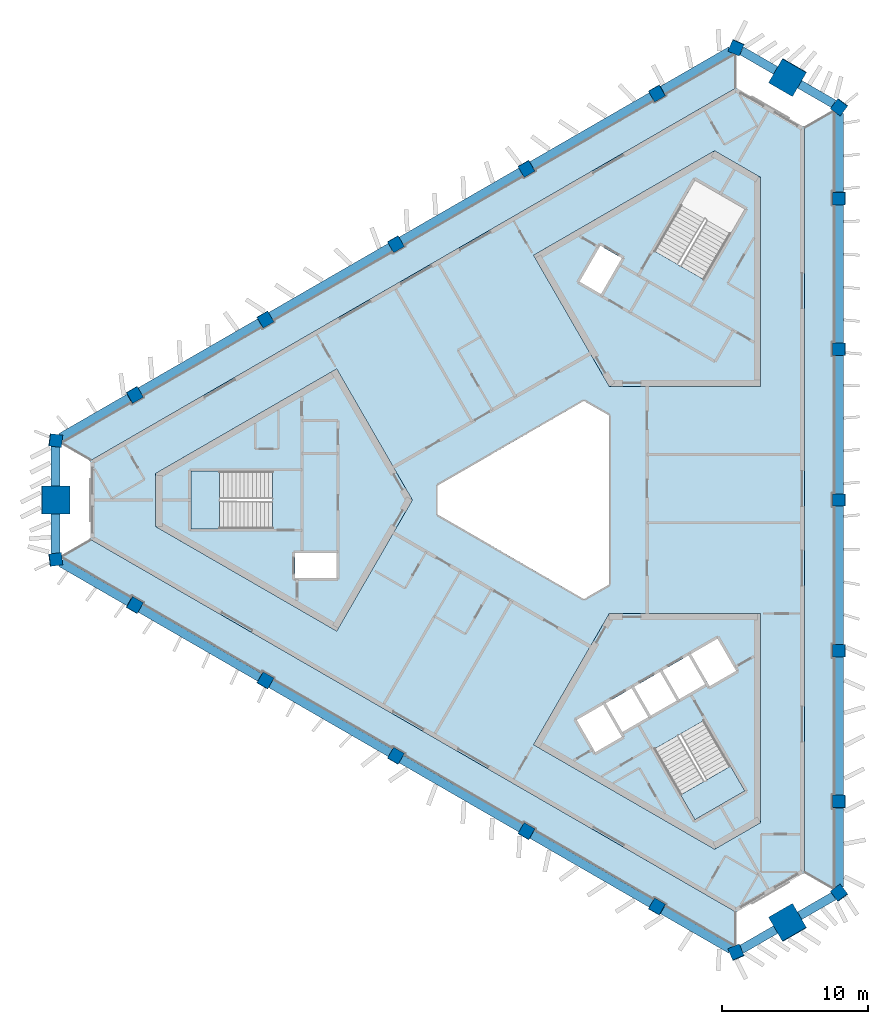
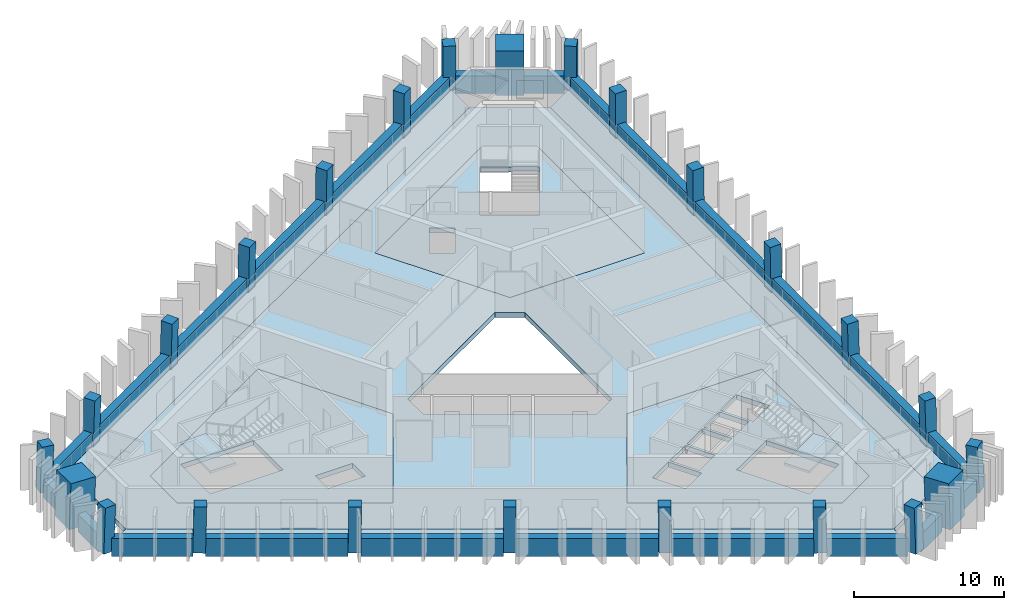
# One storey, part 1 of 10: 24 beams, 24 columns, 9 slabs, 2 elements without a shape of their own.
"""IFC4 building model written with IfcOpenShell, lengths in metres."""

from ifc_helpers import new_model, si_unit, direction, frame, origin, origin_2d, place, context, subcontext, project, spatial, polyline, rectangle, outline, extrude, material, layer, layer_set, material_profile, profile_set, type_object, element, aggregate, save


model = new_model("IFC4")

# Units and contexts
model_context = context("Model", 3, precision=1e-05, world=origin(), true_north=direction((0.0, 1.0)))
body_context = subcontext(model_context, "Body", "Model", "MODEL_VIEW")
ifc_project = project(units=[si_unit("LENGTHUNIT", "METRE"), si_unit("AREAUNIT", "SQUARE_METRE"), si_unit("VOLUMEUNIT", "CUBIC_METRE"), si_unit("PLANEANGLEUNIT", "RADIAN"), si_unit("MASSUNIT", "GRAM", prefix="KILO")], contexts=[model_context])

# Site, building, storey
site_placement = place(None, origin())
site = spatial("IfcSite", under=ifc_project, at=site_placement, CompositionType="ELEMENT")
building_placement = place(site_placement, origin())
building = spatial("IfcBuilding", under=site, at=building_placement, Name="Jabali Bay Hotel Tower and Convention Centre", CompositionType="ELEMENT")
storey_placement = place(building_placement, frame((0.0, 0.0, 216.89990234375)))
storey = spatial("IfcBuildingStorey", under=building, at=storey_placement, Name="L53", CompositionType="ELEMENT", Elevation=216.89990234375)

# Columns
ifc_material_1 = material(Name="Concrete C60", Category="concrete")
ifc_material_profile_1 = material_profile(ifc_material_1, rectangle(XDim=0.85009765625, YDim=0.85009765625, at=origin_2d()), Name="Frame column 850")
ifc_profile_set_1 = profile_set([ifc_material_profile_1], Name="Concrete C60")
column_type_1 = type_object("IfcColumnType", Name="Frame column 850", PredefinedType="COLUMN", material=ifc_profile_set_1)
column_1_placement = place(storey_placement, frame((82.782958984375, 107.906982421875, 0.0), z_axis=(-0.008375902173, -0.028161497857, 0.999568293966), x_axis=(0.865850883257, 0.499846917191, 0.021337931896)))
element("IfcColumn", 1, at=column_1_placement, inside=storey, type_object=column_type_1, Name="FC5 F1.1 L53", PredefinedType="COLUMN", context=body_context, shape_type="SweptSolid", body=[
    extrude(rectangle(XDim=0.85009765625, YDim=0.85009765625, at=origin_2d()), origin(), (0.0, 0.0, 1.0), 3.701904296875),
])
column_2_placement = place(storey_placement, frame((73.822265625, 102.733642578125, 0.0), z_axis=(0.000857522362, -0.02282328747, 0.99973914708), x_axis=(0.866054521305, 0.499835732571, 0.010668016277)))
element("IfcColumn", 2, at=column_2_placement, inside=storey, type_object=column_type_1, Name="FC5 F1.2 L53", PredefinedType="COLUMN", context=body_context, shape_type="SweptSolid", body=[
    extrude(rectangle(XDim=0.85009765625, YDim=0.85009765625, at=origin_2d()), origin(), (0.0, 0.0, 1.0), 3.701171875),
])
column_3_placement = place(storey_placement, frame((64.861572265625, 97.56005859375, 0.0), z_axis=(0.010092954999, -0.017481261926, 0.999796248113), x_axis=(-0.499897099477, 0.865849541015, 0.020185694417)))
element("IfcColumn", 3, at=column_3_placement, inside=storey, type_object=column_type_1, Name="FC5 F1.3 L53", PredefinedType="COLUMN", context=body_context, shape_type="SweptSolid", body=[
    extrude(rectangle(XDim=0.85009765625, YDim=0.85009765625, at=origin_2d()), origin(), (0.0, 0.0, 1.0), 3.700927734375),
])
column_4_placement = place(storey_placement, frame((55.901123046875, 92.38671875, 0.0), z_axis=(0.019327242333, -0.012137244332, 0.999739538582), x_axis=(-0.500214328423, 0.865666448646, 0.020179824807)))
element("IfcColumn", 4, at=column_4_placement, inside=storey, type_object=column_type_1, Name="FC5 F1.4 L53", PredefinedType="COLUMN", context=body_context, shape_type="SweptSolid", body=[
    extrude(rectangle(XDim=0.85009765625, YDim=0.85009765625, at=origin_2d()), origin(), (0.0, 0.0, 1.0), 3.701171875),
])
for number, where, z_axis, x_axis, name in (
    (5, (46.9404296875, 87.21337890625, 0.0), (0.028557219273, -0.006859008786, 0.999568626571), (-0.498515256127, 0.866645794777, 0.020189249707), "FC5 F1.5 L53"),
    (6, (46.9404296875, 72.78662109375, 0.0), (0.028557219273, 0.006859008786, 0.999568626571), (-0.86641042505, 0.498876758723, 0.021329673472), "FC5 F2.1 L53"),
):
    element("IfcColumn", number, at=place(storey_placement, frame(where, z_axis=z_axis, x_axis=x_axis)), inside=storey, type_object=column_type_1, Name=name, PredefinedType="COLUMN", context=body_context, shape_type="SweptSolid", body=[
        extrude(rectangle(XDim=0.85009765625, YDim=0.85009765625, at=origin_2d()), origin(), (0.0, 0.0, 1.0), 3.701904296875),
    ])
column_5_placement = place(storey_placement, frame((55.901123046875, 67.61328125, 0.0), z_axis=(0.019327242333, 0.012137244332, 0.999739538582), x_axis=(-0.865685903399, 0.500474062253, 0.01065972171)))
element("IfcColumn", 7, at=column_5_placement, inside=storey, type_object=column_type_1, Name="FC5 F2.2 L53", PredefinedType="COLUMN", context=body_context, shape_type="SweptSolid", body=[
    extrude(rectangle(XDim=0.85009765625, YDim=0.85009765625, at=origin_2d()), origin(), (0.0, 0.0, 1.0), 3.701171875),
])
column_6_placement = place(storey_placement, frame((64.861572265625, 62.43994140625, 0.0), z_axis=(0.010092954999, 0.017481261926, 0.999796248113), x_axis=(-0.866025993948, 0.499998977805, 1.48321e-07)))
element("IfcColumn", 8, at=column_6_placement, inside=storey, type_object=column_type_1, Name="FC5 F2.3 L53", PredefinedType="COLUMN", context=body_context, shape_type="SweptSolid", body=[
    extrude(rectangle(XDim=0.85009765625, YDim=0.85009765625, at=origin_2d()), origin(), (0.0, 0.0, 1.0), 3.700927734375),
])
column_7_placement = place(storey_placement, frame((73.822265625, 57.266357421875, 0.0), z_axis=(0.000857522362, 0.02282328747, 0.99973914708), x_axis=(-0.499948828163, -0.865819460392, 0.020194831622)))
element("IfcColumn", 9, at=column_7_placement, inside=storey, type_object=column_type_1, Name="FC5 F2.4 L53", PredefinedType="COLUMN", context=body_context, shape_type="SweptSolid", body=[
    extrude(rectangle(XDim=0.85009765625, YDim=0.85009765625, at=origin_2d()), origin(), (0.0, 0.0, 1.0), 3.701171875),
])
for number, where, z_axis, x_axis, name in (
    (10, (82.782958984375, 52.093017578125, 0.0), (-0.008375902173, 0.028161497857, 0.999568293966), (-0.500232038384, -0.865655814636, 0.020196988914), "FC5 F2.5 L53"),
    (11, (95.276611328125, 59.306396484375, 0.0), (-0.020181329236, 0.021302514194, 0.999569365697), (0.000228295571, -0.999772858975, 0.021311460273), "FC5 F0.1 L53"),
):
    element("IfcColumn", number, at=place(storey_placement, frame(where, z_axis=z_axis, x_axis=x_axis)), inside=storey, type_object=column_type_1, Name=name, PredefinedType="COLUMN", context=body_context, shape_type="SweptSolid", body=[
        extrude(rectangle(XDim=0.85009765625, YDim=0.85009765625, at=origin_2d()), origin(), (0.0, 0.0, 1.0), 3.701904296875),
    ])
column_8_placement = place(storey_placement, frame((95.276611328125, 69.653076171875, 0.0), z_axis=(-0.020184757346, 0.010686048007, 0.999739157955), x_axis=(-0.001012892672, -0.999942584695, 0.010667772075)))
element("IfcColumn", 12, at=column_8_placement, inside=storey, type_object=column_type_1, Name="FC5 F0.2 L53", PredefinedType="COLUMN", context=body_context, shape_type="SweptSolid", body=[
    extrude(rectangle(XDim=0.85009765625, YDim=0.85009765625, at=origin_2d()), origin(), (0.0, 0.0, 1.0), 3.701171875),
])
column_9_placement = place(storey_placement, frame((95.276611328125, 80.0, 0.0), z_axis=(-0.02018590991, 0.0, 0.999796243762), x_axis=(0.0, -1.0, 0.0)))
element("IfcColumn", 13, at=column_9_placement, inside=storey, type_object=column_type_1, Name="FC5 F0.3 L53", PredefinedType="COLUMN", context=body_context, shape_type="SweptSolid", body=[
    extrude(rectangle(XDim=0.85009765625, YDim=0.85009765625, at=origin_2d()), origin(), (0.0, 0.0, 1.0), 3.700927734375),
])
column_10_placement = place(storey_placement, frame((95.276611328125, 90.346923828125, 0.0), z_axis=(-0.020184757346, -0.010686048007, 0.999739157955), x_axis=(0.999795753951, 0.000797302076, 0.020194422252)))
element("IfcColumn", 14, at=column_10_placement, inside=storey, type_object=column_type_1, Name="FC5 F0.4 L53", PredefinedType="COLUMN", context=body_context, shape_type="SweptSolid", body=[
    extrude(rectangle(XDim=0.85009765625, YDim=0.85009765625, at=origin_2d()), origin(), (0.0, 0.0, 1.0), 3.701171875),
])
column_11_placement = place(storey_placement, frame((95.276611328125, 100.693603515625, 0.0), z_axis=(-0.020181329236, -0.021302514194, 0.999569365697), x_axis=(0.999796310171, -0.000658290855, 0.020171881959)))
element("IfcColumn", 15, at=column_11_placement, inside=storey, type_object=column_type_1, Name="FC5 F0.5 L53", PredefinedType="COLUMN", context=body_context, shape_type="SweptSolid", body=[
    extrude(rectangle(XDim=0.85009765625, YDim=0.85009765625, at=origin_2d()), origin(), (0.0, 0.0, 1.0), 3.701904296875),
])
for number, where, z_axis, x_axis, name in (
    (16, (95.276611328125, 53.039306640625, 0.0), (-0.020177412175, 0.029013272408, 0.999375355941), (-0.799308590144, -0.60091935252, 0.001307474698), "FC5 V0 L53"),
    (17, (95.276611328125, 106.960693359375, 0.0), (-0.020177412175, -0.029013272408, 0.999375355941), (0.600581925936, 0.798782925325, 0.035315555323), "FC5 V1 L53"),
    (18, (88.210205078125, 111.04052734375, 0.0), (-0.01503415113, -0.031980540781, 0.999375414602), (0.920098399425, -0.39168511083, 0.001307413323), "FC5 V2 L53"),
    (19, (41.512939453125, 84.079833984375, 0.0), (0.035211566633, -0.002967266851, 0.999375475436), (-0.992057061934, 0.120730427355, 0.035312176056), "FC5 V3 L53"),
    (20, (41.512939453125, 75.920166015625, 0.0), (0.035211566633, 0.002967266851, 0.999375475436), (-0.120759808887, 0.99268089497, 0.001307409453), "FC5 V4 L53"),
    (21, (88.210205078125, 48.95947265625, 0.0), (-0.01503415113, 0.031980540781, 0.999375414602), (0.391398658244, -0.91954337525, 0.035313897537), "FC5 V5 L53"),
):
    element("IfcColumn", number, at=place(storey_placement, frame(where, z_axis=z_axis, x_axis=x_axis)), inside=storey, type_object=column_type_1, Name=name, PredefinedType="COLUMN", context=body_context, shape_type="SweptSolid", body=[
        extrude(rectangle(XDim=0.85009765625, YDim=0.85009765625, at=origin_2d()), origin(), (0.0, 0.0, 1.0), 3.702392578125),
    ])
ifc_material_2 = material(Name="Concrete C70", Category="concrete")
ifc_material_profile_2 = material_profile(ifc_material_2, rectangle(XDim=1.89990234375, YDim=1.89990234375, at=origin_2d()), Name="Mega column 1900")
ifc_profile_set_2 = profile_set([ifc_material_profile_2], Name="Concrete C70")
column_type_2 = type_object("IfcColumnType", Name="Mega column 1900", PredefinedType="COLUMN", material=ifc_profile_set_2)
for number, where, z_axis, x_axis, name in (
    (22, (91.743408203125, 109.00048828125, 0.0), (-0.017605877014, -0.030464101799, 0.99938079409), (0.86581098392, -0.500371202332, 2.456e-09), "MC5 M1 L53"),
    (23, (41.512939453125, 80.0, 0.0), (0.035211721647, 0.0, 0.999379875052), (0.0, 1.0, 0.0), "MC5 M0 L53"),
    (24, (91.743408203125, 50.99951171875, 0.0), (-0.017605877014, 0.030464101799, 0.99938079409), (0.500061369451, -0.865274868686, 0.035185627803), "MC5 M2 L53"),
):
    element("IfcColumn", number, at=place(storey_placement, frame(where, z_axis=z_axis, x_axis=x_axis)), inside=storey, type_object=column_type_2, Name=name, PredefinedType="COLUMN", context=body_context, shape_type="SweptSolid", body=[
        extrude(rectangle(XDim=1.89990234375, YDim=1.89990234375, at=origin_2d()), origin(), (0.0, 0.0, 1.0), 3.702392578125),
    ])

# Beams
ifc_material_profile_3 = material_profile(ifc_material_1, rectangle(XDim=0.60009765625, YDim=1.449951171875, at=origin_2d()), Name="Spandrel 600x1450")
ifc_profile_set_3 = profile_set([ifc_material_profile_3], Name="Concrete C60")
beam_type = type_object("IfcBeamType", Name="Spandrel 600x1450", PredefinedType="SPANDREL", material=ifc_profile_set_3)
beam_1_placement = place(storey_placement, frame((90.9140625, 109.464111328125, 0.375), z_axis=(-0.866017156151, 0.500014285048, 0.0), x_axis=(-0.500014285048, -0.866017156151, 0.0)))
element("IfcBeam", 25, at=beam_1_placement, inside=storey, type_object=beam_type, Name="Spandrel M1-V2 L53", PredefinedType="SPANDREL", context=body_context, shape_type="SweptSolid", body=[
    extrude(rectangle(XDim=0.60009765625, YDim=1.449951171875, at=origin_2d()), origin(), (0.0, 0.0, 1.0), 2.70361328125),
])
beam_2_placement = place(storey_placement, frame((87.836669921875, 110.81591796875, 0.375), z_axis=(-0.866036909293, -0.499980071345, 0.0), x_axis=(0.499980071345, -0.866036909293, 0.0)))
element("IfcBeam", 26, at=beam_2_placement, inside=storey, type_object=beam_type, Name="Spandrel V2-F1.1 L53", PredefinedType="SPANDREL", context=body_context, shape_type="SweptSolid", body=[
    extrude(rectangle(XDim=0.60009765625, YDim=1.449951171875, at=origin_2d()), origin(), (0.0, 0.0, 1.0), 5.414306640625),
])
beam_3_placement = place(storey_placement, frame((82.41162109375, 107.683837890625, 0.375), z_axis=(-0.866026691326, -0.499997769907, 0.0), x_axis=(0.499997769907, -0.866026691326, 0.0)))
element("IfcBeam", 27, at=beam_3_placement, inside=storey, type_object=beam_type, Name="Spandrel F1.1-F1.2 L53", PredefinedType="SPANDREL", context=body_context, shape_type="SweptSolid", body=[
    extrude(rectangle(XDim=0.60009765625, YDim=1.449951171875, at=origin_2d()), origin(), (0.0, 0.0, 1.0), 9.49267578125),
])
beam_4_placement = place(storey_placement, frame((73.45458984375, 102.512451171875, 0.375), z_axis=(-0.866033120735, -0.499986633611, 0.0), x_axis=(0.499986633611, -0.866033120735, 0.0)))
element("IfcBeam", 28, at=beam_4_placement, inside=storey, type_object=beam_type, Name="Spandrel F1.2-F1.3 L53", PredefinedType="SPANDREL", context=body_context, shape_type="SweptSolid", body=[
    extrude(rectangle(XDim=0.60009765625, YDim=1.449951171875, at=origin_2d()), origin(), (0.0, 0.0, 1.0), 9.492919921875),
])
beam_5_placement = place(storey_placement, frame((64.497314453125, 97.341064453125, 0.375), z_axis=(-0.866026691326, -0.499997769907, 0.0), x_axis=(0.499997769907, -0.866026691326, 0.0)))
element("IfcBeam", 29, at=beam_5_placement, inside=storey, type_object=beam_type, Name="Spandrel F1.3-F1.4 L53", PredefinedType="SPANDREL", context=body_context, shape_type="SweptSolid", body=[
    extrude(rectangle(XDim=0.60009765625, YDim=1.449951171875, at=origin_2d()), origin(), (0.0, 0.0, 1.0), 9.49267578125),
])
beam_6_placement = place(storey_placement, frame((55.540283203125, 92.169677734375, 0.375), z_axis=(-0.866033120735, -0.499986633611, 0.0), x_axis=(0.499986633611, -0.866033120735, 0.0)))
element("IfcBeam", 30, at=beam_6_placement, inside=storey, type_object=beam_type, Name="Spandrel F1.4-F1.5 L53", PredefinedType="SPANDREL", context=body_context, shape_type="SweptSolid", body=[
    extrude(rectangle(XDim=0.60009765625, YDim=1.449951171875, at=origin_2d()), origin(), (0.0, 0.0, 1.0), 9.492919921875),
])
beam_7_placement = place(storey_placement, frame((46.5830078125, 86.998291015625, 0.375), z_axis=(-0.866025636532, -0.499999596869, 0.0), x_axis=(0.499999596869, -0.866025636532, 0.0)))
element("IfcBeam", 31, at=beam_7_placement, inside=storey, type_object=beam_type, Name="Spandrel F1.5-V3 L53", PredefinedType="SPANDREL", context=body_context, shape_type="SweptSolid", body=[
    extrude(rectangle(XDim=0.60009765625, YDim=1.449951171875, at=origin_2d()), origin(), (0.0, 0.0, 1.0), 5.4140625),
])
for number, where, z_axis, x_axis, name in (
    (32, (41.526123046875, 83.653564453125, 0.375), (0.0, -1.0, 0.0), (1.0, 0.0, 0.0), "Spandrel V3-M0 L53"),
    (33, (41.526123046875, 79.050048828125, 0.375), (0.0, -1.0, 0.0), (1.0, 0.0, 0.0), "Spandrel M0-V4 L53"),
):
    element("IfcBeam", number, at=place(storey_placement, frame(where, z_axis=z_axis, x_axis=x_axis)), inside=storey, type_object=beam_type, Name=name, PredefinedType="SPANDREL", context=body_context, shape_type="SweptSolid", body=[
        extrude(rectangle(XDim=0.60009765625, YDim=1.449951171875, at=origin_2d()), origin(), (0.0, 0.0, 1.0), 2.70361328125),
    ])
beam_8_placement = place(storey_placement, frame((41.894287109375, 75.708740234375, 0.375), z_axis=(0.866025636532, -0.499999596869, 0.0), x_axis=(0.499999596869, 0.866025636532, 0.0)))
element("IfcBeam", 34, at=beam_8_placement, inside=storey, type_object=beam_type, Name="Spandrel V4-F2.1 L53", PredefinedType="SPANDREL", context=body_context, shape_type="SweptSolid", body=[
    extrude(rectangle(XDim=0.60009765625, YDim=1.449951171875, at=origin_2d()), origin(), (0.0, 0.0, 1.0), 5.4140625),
])
beam_9_placement = place(storey_placement, frame((47.319091796875, 72.57666015625, 0.375), z_axis=(0.866033120735, -0.499986633611, 0.0), x_axis=(0.499986633611, 0.866033120735, 0.0)))
element("IfcBeam", 35, at=beam_9_placement, inside=storey, type_object=beam_type, Name="Spandrel F2.1-F2.2 L53", PredefinedType="SPANDREL", context=body_context, shape_type="SweptSolid", body=[
    extrude(rectangle(XDim=0.60009765625, YDim=1.449951171875, at=origin_2d()), origin(), (0.0, 0.0, 1.0), 9.492919921875),
])
beam_10_placement = place(storey_placement, frame((56.2763671875, 67.4052734375, 0.375), z_axis=(0.866026691326, -0.499997769907, 0.0), x_axis=(0.499997769907, 0.866026691326, 0.0)))
element("IfcBeam", 36, at=beam_10_placement, inside=storey, type_object=beam_type, Name="Spandrel F2.2-F2.3 L53", PredefinedType="SPANDREL", context=body_context, shape_type="SweptSolid", body=[
    extrude(rectangle(XDim=0.60009765625, YDim=1.449951171875, at=origin_2d()), origin(), (0.0, 0.0, 1.0), 9.49267578125),
])
beam_11_placement = place(storey_placement, frame((65.2333984375, 62.23388671875, 0.375), z_axis=(0.866033120735, -0.499986633611, 0.0), x_axis=(0.499986633611, 0.866033120735, 0.0)))
element("IfcBeam", 37, at=beam_11_placement, inside=storey, type_object=beam_type, Name="Spandrel F2.3-F2.4 L53", PredefinedType="SPANDREL", context=body_context, shape_type="SweptSolid", body=[
    extrude(rectangle(XDim=0.60009765625, YDim=1.449951171875, at=origin_2d()), origin(), (0.0, 0.0, 1.0), 9.492919921875),
])
beam_12_placement = place(storey_placement, frame((74.190673828125, 57.0625, 0.375), z_axis=(0.866026691326, -0.499997769907, 0.0), x_axis=(0.499997769907, 0.866026691326, 0.0)))
element("IfcBeam", 38, at=beam_12_placement, inside=storey, type_object=beam_type, Name="Spandrel F2.4-F2.5 L53", PredefinedType="SPANDREL", context=body_context, shape_type="SweptSolid", body=[
    extrude(rectangle(XDim=0.60009765625, YDim=1.449951171875, at=origin_2d()), origin(), (0.0, 0.0, 1.0), 9.49267578125),
])
beam_13_placement = place(storey_placement, frame((83.147705078125, 51.89111328125, 0.375), z_axis=(0.866036909293, -0.499980071345, 0.0), x_axis=(0.499980071345, 0.866036909293, 0.0)))
element("IfcBeam", 39, at=beam_13_placement, inside=storey, type_object=beam_type, Name="Spandrel F2.5-V5 L53", PredefinedType="SPANDREL", context=body_context, shape_type="SweptSolid", body=[
    extrude(rectangle(XDim=0.60009765625, YDim=1.449951171875, at=origin_2d()), origin(), (0.0, 0.0, 1.0), 5.414306640625),
])
beam_14_placement = place(storey_placement, frame((88.57275390625, 49.18408203125, 0.375), z_axis=(0.866017156151, 0.500014285048, 0.0), x_axis=(-0.500014285048, 0.866017156151, 0.0)))
element("IfcBeam", 40, at=beam_14_placement, inside=storey, type_object=beam_type, Name="Spandrel V5-M2 L53", PredefinedType="SPANDREL", context=body_context, shape_type="SweptSolid", body=[
    extrude(rectangle(XDim=0.60009765625, YDim=1.449951171875, at=origin_2d()), origin(), (0.0, 0.0, 1.0), 2.70361328125),
])
beam_15_placement = place(storey_placement, frame((92.5595703125, 51.48583984375, 0.375), z_axis=(0.86603973084, 0.499975183991, 0.0), x_axis=(-0.499975183991, 0.86603973084, 0.0)))
element("IfcBeam", 41, at=beam_15_placement, inside=storey, type_object=beam_type, Name="Spandrel M2-V0 L53", PredefinedType="SPANDREL", context=body_context, shape_type="SweptSolid", body=[
    extrude(rectangle(XDim=0.60009765625, YDim=1.449951171875, at=origin_2d()), origin(), (0.0, 0.0, 1.0), 2.703857421875),
])
beam_16_placement = place(storey_placement, frame((95.26904296875, 53.47509765625, 0.375), z_axis=(0.0, 1.0, 0.0), x_axis=(-1.0, 0.0, 0.0)))
element("IfcBeam", 42, at=beam_16_placement, inside=storey, type_object=beam_type, Name="Spandrel V0-F0.1 L53", PredefinedType="SPANDREL", context=body_context, shape_type="SweptSolid", body=[
    extrude(rectangle(XDim=0.60009765625, YDim=1.449951171875, at=origin_2d()), origin(), (0.0, 0.0, 1.0), 5.414306640625),
])
beam_17_placement = place(storey_placement, frame((95.26904296875, 59.7392578125, 0.375), z_axis=(0.0, 1.0, 0.0), x_axis=(-1.0, 0.0, 0.0)))
element("IfcBeam", 43, at=beam_17_placement, inside=storey, type_object=beam_type, Name="Spandrel F0.1-F0.2 L53", PredefinedType="SPANDREL", context=body_context, shape_type="SweptSolid", body=[
    extrude(rectangle(XDim=0.60009765625, YDim=1.449951171875, at=origin_2d()), origin(), (0.0, 0.0, 1.0), 9.492919921875),
])
for number, where, z_axis, x_axis, name in (
    (44, (95.26904296875, 70.082275390625, 0.375), (0.0, 1.0, 0.0), (-1.0, 0.0, 0.0), "Spandrel F0.2-F0.3 L53"),
    (45, (95.26904296875, 80.425048828125, 0.375), (0.0, 1.0, 0.0), (-1.0, 0.0, 0.0), "Spandrel F0.3-F0.4 L53"),
):
    element("IfcBeam", number, at=place(storey_placement, frame(where, z_axis=z_axis, x_axis=x_axis)), inside=storey, type_object=beam_type, Name=name, PredefinedType="SPANDREL", context=body_context, shape_type="SweptSolid", body=[
        extrude(rectangle(XDim=0.60009765625, YDim=1.449951171875, at=origin_2d()), origin(), (0.0, 0.0, 1.0), 9.49267578125),
    ])
beam_18_placement = place(storey_placement, frame((95.26904296875, 90.767822265625, 0.375), z_axis=(0.0, 1.0, 0.0), x_axis=(-1.0, 0.0, 0.0)))
element("IfcBeam", 46, at=beam_18_placement, inside=storey, type_object=beam_type, Name="Spandrel F0.4-F0.5 L53", PredefinedType="SPANDREL", context=body_context, shape_type="SweptSolid", body=[
    extrude(rectangle(XDim=0.60009765625, YDim=1.449951171875, at=origin_2d()), origin(), (0.0, 0.0, 1.0), 9.492919921875),
])
beam_19_placement = place(storey_placement, frame((95.26904296875, 101.110595703125, 0.375), z_axis=(0.0, 1.0, 0.0), x_axis=(-1.0, 0.0, 0.0)))
element("IfcBeam", 47, at=beam_19_placement, inside=storey, type_object=beam_type, Name="Spandrel F0.5-V1 L53", PredefinedType="SPANDREL", context=body_context, shape_type="SweptSolid", body=[
    extrude(rectangle(XDim=0.60009765625, YDim=1.449951171875, at=origin_2d()), origin(), (0.0, 0.0, 1.0), 5.414306640625),
])
beam_20_placement = place(storey_placement, frame((94.901123046875, 107.162353515625, 0.375), z_axis=(-0.86603973084, 0.499975183991, 0.0), x_axis=(-0.499975183991, -0.86603973084, 0.0)))
element("IfcBeam", 48, at=beam_20_placement, inside=storey, type_object=beam_type, Name="Spandrel V1-M1 L53", PredefinedType="SPANDREL", context=body_context, shape_type="SweptSolid", body=[
    extrude(rectangle(XDim=0.60009765625, YDim=1.449951171875, at=origin_2d()), origin(), (0.0, 0.0, 1.0), 2.703857421875),
])

# Slabs
ifc_material_3 = material(Name="Concrete C40", Category="concrete")
ifc_layer_1 = layer(ifc_material_3, 0.39990234375)
ifc_layer_set_1 = layer_set([ifc_layer_1], Name="Concrete C40")
slab_type_1 = type_object("IfcSlabType", Name="Core floor slab 400", PredefinedType="FLOOR", material=ifc_layer_set_1)
slab_1_placement = place(storey_placement, frame((0.0, 0.0, -0.39990234375)))
element("IfcSlab", 49, at=slab_1_placement, inside=storey, type_object=slab_type_1, Name="Core floor slab 1 L53", PredefinedType="FLOOR", context=body_context, shape_type="SweptSolid", body=[
    extrude(outline(polyline([(66.0, 80.0), (60.81005859375, 88.9892578125), (48.39697265625, 81.82275390625), (48.39697265625, 78.17724609375), (60.81005859375, 71.0107421875), (66.0, 80.0)]), holes=[polyline([(60.800048828125, 76.35009765625), (57.949951171875, 76.35009765625), (57.949951171875, 74.64990234375), (60.800048828125, 74.64990234375), (60.800048828125, 76.35009765625)]), polyline([(50.820068359375, 81.97509765625), (50.820068359375, 78.02490234375), (56.409912109375, 78.02490234375), (56.409912109375, 81.97509765625), (50.820068359375, 81.97509765625)])]), origin(), (0.0, 0.0, 1.0), 0.39990234375),
])
slab_2_placement = place(storey_placement, frame((0.0, 0.0, -0.39990234375)))
element("IfcSlab", 50, at=slab_2_placement, inside=storey, type_object=slab_type_1, Name="Core floor slab 2 L53", PredefinedType="FLOOR", context=body_context, shape_type="SweptSolid", body=[
    extrude(outline(polyline([(79.5, 87.794189453125), (89.8798828125, 87.794189453125), (89.8798828125, 102.127685546875), (86.72314453125, 103.9501953125), (74.31005859375, 96.78369140625), (79.5, 87.794189453125)]), holes=[polyline([(78.93896484375, 94.12255859375), (80.364013671875, 96.5908203125), (78.891845703125, 97.440673828125), (77.466796875, 94.97265625), (78.93896484375, 94.12255859375)]), polyline([(88.80029296875, 99.952880859375), (85.379638671875, 101.927978515625), (82.584716796875, 97.0869140625), (86.00537109375, 95.11181640625), (88.80029296875, 99.952880859375)])]), origin(), (0.0, 0.0, 1.0), 0.39990234375),
])
slab_3_placement = place(storey_placement, frame((0.0, 0.0, -0.39990234375)))
element("IfcSlab", 51, at=slab_3_placement, inside=storey, type_object=slab_type_1, Name="Core floor slab 3 L53", PredefinedType="FLOOR", context=body_context, shape_type="SweptSolid", body=[
    extrude(outline(polyline([(79.5, 72.205810546875), (74.31005859375, 63.21630859375), (86.72314453125, 56.0498046875), (89.8798828125, 57.872314453125), (89.8798828125, 72.205810546875), (79.5, 72.205810546875)]), holes=[polyline([(82.584716796875, 62.9130859375), (85.379638671875, 58.072021484375), (88.80029296875, 60.047119140625), (86.00537109375, 64.88818359375), (82.584716796875, 62.9130859375)]), polyline([(80.365478515625, 63.756591796875), (79.090576171875, 65.96484375), (77.27197265625, 64.9150390625), (78.546875, 62.70654296875), (80.365478515625, 63.756591796875)]), polyline([(82.17919921875, 65.115478515625), (81.0390625, 67.08984375), (79.263671875, 66.06494140625), (80.40380859375, 64.09033203125), (82.17919921875, 65.115478515625)]), polyline([(82.98779296875, 68.21484375), (81.21240234375, 67.18994140625), (82.352294921875, 65.21533203125), (84.127685546875, 66.240478515625), (82.98779296875, 68.21484375)]), polyline([(86.076171875, 67.365478515625), (84.936279296875, 69.33984375), (83.160888671875, 68.31494140625), (84.30078125, 66.34033203125), (86.076171875, 67.365478515625)]), polyline([(88.203125, 68.281494140625), (86.927978515625, 70.489990234375), (85.109375, 69.43994140625), (86.384521484375, 67.231689453125), (88.203125, 68.281494140625)])]), origin(), (0.0, 0.0, 1.0), 0.39990234375),
])
ifc_layer_2 = layer(ifc_material_3, 0.199951171875)
ifc_layer_set_2 = layer_set([ifc_layer_2], Name="Concrete C40")
slab_type_2 = type_object("IfcSlabType", Name="Loggia slab 200", PredefinedType="FLOOR", material=ifc_layer_set_2)
slab_4_placement = place(storey_placement, frame((0.0, 0.0, -0.199951171875)))
element("IfcSlab", 52, at=slab_4_placement, inside=storey, type_object=slab_type_2, Name="Loggia slab east face L53", PredefinedType="FLOOR", context=body_context, shape_type="SweptSolid", body=[
    extrude(outline(polyline([(92.876708984375, 105.574951171875), (94.876708984375, 106.729736328125), (94.976806640625, 106.654541015625), (94.976806640625, 101.11865234375), (94.851806640625, 101.11865234375), (94.851806640625, 100.2685546875), (94.976806640625, 100.2685546875), (94.976806640625, 90.771728515625), (94.851806640625, 90.771728515625), (94.851806640625, 89.921875), (94.976806640625, 89.921875), (94.976806640625, 80.425048828125), (94.851806640625, 80.425048828125), (94.851806640625, 79.574951171875), (94.976806640625, 79.574951171875), (94.976806640625, 70.078125), (94.851806640625, 70.078125), (94.851806640625, 69.228271484375), (94.976806640625, 69.228271484375), (94.976806640625, 59.7314453125), (94.851806640625, 59.7314453125), (94.851806640625, 58.88134765625), (94.976806640625, 58.88134765625), (94.976806640625, 53.345458984375), (94.876708984375, 53.270263671875), (92.876708984375, 54.425048828125), (92.876708984375, 105.574951171875)])), origin(), (0.0, 0.0, 1.0), 0.199951171875),
])
slab_5_placement = place(storey_placement, frame((0.0, 0.0, -0.199951171875)))
element("IfcSlab", 53, at=slab_5_placement, inside=storey, type_object=slab_type_2, Name="Loggia slab north-west face L53", PredefinedType="FLOOR", context=body_context, shape_type="SweptSolid", body=[
    extrude(outline(polyline([(43.9130859375, 82.694091796875), (41.9130859375, 83.848876953125), (41.92822265625, 83.97314453125), (46.722412109375, 86.740966796875), (46.784912109375, 86.6328125), (47.52099609375, 87.057861328125), (47.45849609375, 87.166015625), (55.682861328125, 91.914306640625), (55.745361328125, 91.80615234375), (56.481689453125, 92.231201171875), (56.419189453125, 92.33935546875), (64.6435546875, 97.087890625), (64.7060546875, 96.9794921875), (65.442138671875, 97.404541015625), (65.379638671875, 97.512939453125), (73.604248046875, 102.26123046875), (73.666748046875, 102.153076171875), (74.40283203125, 102.577880859375), (74.34033203125, 102.686279296875), (82.56494140625, 107.4345703125), (82.62744140625, 107.326416015625), (83.363525390625, 107.75146484375), (83.301025390625, 107.859619140625), (88.09521484375, 110.627685546875), (88.210205078125, 110.57861328125), (88.210205078125, 108.269287109375), (43.9130859375, 82.694091796875)])), origin(), (0.0, 0.0, 1.0), 0.199951171875),
])
slab_6_placement = place(storey_placement, frame((0.0, 0.0, -0.199951171875)))
element("IfcSlab", 54, at=slab_6_placement, inside=storey, type_object=slab_type_2, Name="Loggia slab south-west face L53", PredefinedType="FLOOR", context=body_context, shape_type="SweptSolid", body=[
    extrude(outline(polyline([(88.210205078125, 51.730712890625), (88.210205078125, 49.42138671875), (88.09521484375, 49.372314453125), (83.301025390625, 52.140380859375), (83.363525390625, 52.24853515625), (82.62744140625, 52.673583984375), (82.56494140625, 52.5654296875), (74.34033203125, 57.313720703125), (74.40283203125, 57.422119140625), (73.666748046875, 57.846923828125), (73.604248046875, 57.73876953125), (65.379638671875, 62.487060546875), (65.442138671875, 62.595458984375), (64.7060546875, 63.0205078125), (64.6435546875, 62.912109375), (56.419189453125, 67.66064453125), (56.481689453125, 67.768798828125), (55.745361328125, 68.19384765625), (55.682861328125, 68.085693359375), (47.45849609375, 72.833984375), (47.52099609375, 72.942138671875), (46.784912109375, 73.3671875), (46.722412109375, 73.259033203125), (41.92822265625, 76.02685546875), (41.9130859375, 76.151123046875), (43.9130859375, 77.305908203125), (88.210205078125, 51.730712890625)])), origin(), (0.0, 0.0, 1.0), 0.199951171875),
])
ifc_layer_3 = layer(ifc_material_3, 0.39990234375)
ifc_layer_set_3 = layer_set([ifc_layer_3], Name="Concrete C40")
slab_type_3 = type_object("IfcSlabType", Name="Post-tensioned flat slab 400", PredefinedType="FLOOR", material=ifc_layer_set_3)
slab_7_placement = place(storey_placement, frame((0.0, 0.0, -0.39990234375)))
element("IfcSlab", 55, at=slab_7_placement, inside=storey, type_object=slab_type_3, Name="Floor slab L53", PredefinedType="FLOOR", context=body_context, shape_type="SweptSolid", body=[
    extrude(outline(polyline([(88.210205078125, 108.269287109375), (92.876708984375, 105.574951171875), (92.876708984375, 54.425048828125), (88.210205078125, 51.730712890625), (43.9130859375, 77.305908203125), (43.9130859375, 82.694091796875), (88.210205078125, 108.269287109375)]), holes=[polyline([(67.73193359375, 79.0), (77.76806640625, 73.205810546875), (79.5, 74.205810546875), (79.5, 85.794189453125), (77.76806640625, 86.794189453125), (67.73193359375, 81.0), (67.73193359375, 79.0)]), polyline([(48.39697265625, 78.17724609375), (60.81005859375, 71.0107421875), (66.0, 80.0), (60.81005859375, 88.9892578125), (48.39697265625, 81.82275390625), (48.39697265625, 78.17724609375)]), polyline([(89.8798828125, 102.127685546875), (86.72314453125, 103.9501953125), (74.31005859375, 96.78369140625), (79.5, 87.794189453125), (89.8798828125, 87.794189453125), (89.8798828125, 102.127685546875)]), polyline([(74.31005859375, 63.21630859375), (86.72314453125, 56.0498046875), (89.8798828125, 57.872314453125), (89.8798828125, 72.205810546875), (79.5, 72.205810546875), (74.31005859375, 63.21630859375)])]), origin(), (0.0, 0.0, 1.0), 0.39990234375),
])

# Stair, slab
stair_type = type_object("IfcStairType", Name="Exit stair 1900", PredefinedType="HALF_TURN_STAIR", material=ifc_material_3)
stair_1_placement = place(storey_placement, origin())
stair_1 = element("IfcStair", 56, at=stair_1_placement, inside=storey, type_object=stair_type, Name="L53 Exit Stair 1", PredefinedType="HALF_TURN_STAIR")
ifc_layer_4 = layer(ifc_material_3, 0.199951171875)
ifc_layer_set_4 = layer_set([ifc_layer_4], Name="Concrete C40")
slab_type_4 = type_object("IfcSlabType", Name="Stair landing 200", PredefinedType="LANDING", material=ifc_layer_set_4)
slab_8_placement = place(storey_placement, frame((0.0, 0.0, 1.650146484375)))
slab_8 = element("IfcSlab", 57, at=slab_8_placement, type_object=slab_type_4, Name="ST1 landing 1", PredefinedType="LANDING", context=body_context, shape_type="SweptSolid", body=[
    extrude(outline(polyline([(52.782958984375, 81.97509765625), (50.820068359375, 81.97509765625), (50.820068359375, 78.02490234375), (52.782958984375, 78.02490234375), (52.782958984375, 81.97509765625)])), origin(), (0.0, 0.0, 1.0), 0.199951171875),
])
aggregate(stair_1, [slab_8])

stair_2_placement = place(storey_placement, origin())
stair_2 = element("IfcStair", 58, at=stair_2_placement, inside=storey, type_object=stair_type, Name="L53 Exit Stair 3", PredefinedType="HALF_TURN_STAIR")
slab_9_placement = place(storey_placement, frame((0.0, 0.0, 1.650146484375)))
slab_9 = element("IfcSlab", 59, at=slab_9_placement, type_object=slab_type_4, Name="ST3 landing 1", PredefinedType="LANDING", context=body_context, shape_type="SweptSolid", body=[
    extrude(outline(polyline([(84.398193359375, 59.77197265625), (85.379638671875, 58.072021484375), (88.80029296875, 60.047119140625), (87.81884765625, 61.7470703125), (84.398193359375, 59.77197265625)])), origin(), (0.0, 0.0, 1.0), 0.199951171875),
])
aggregate(stair_2, [slab_9])

save(model, "model.ifc")
